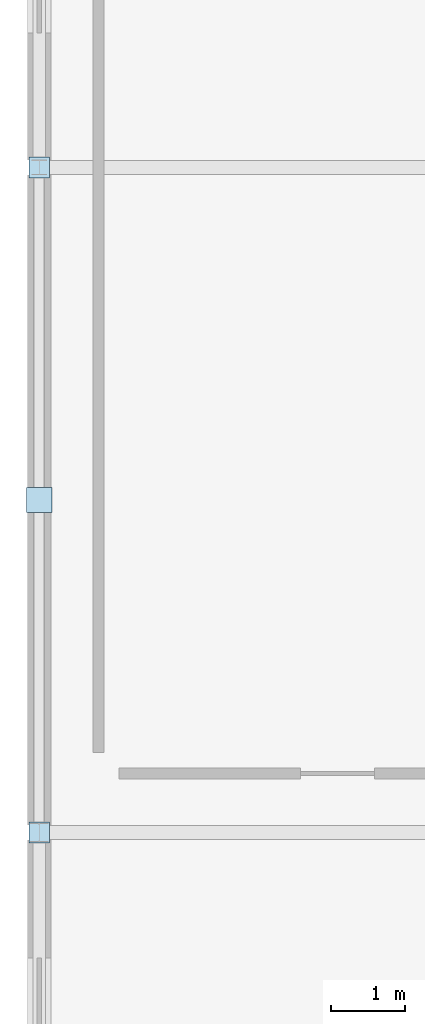
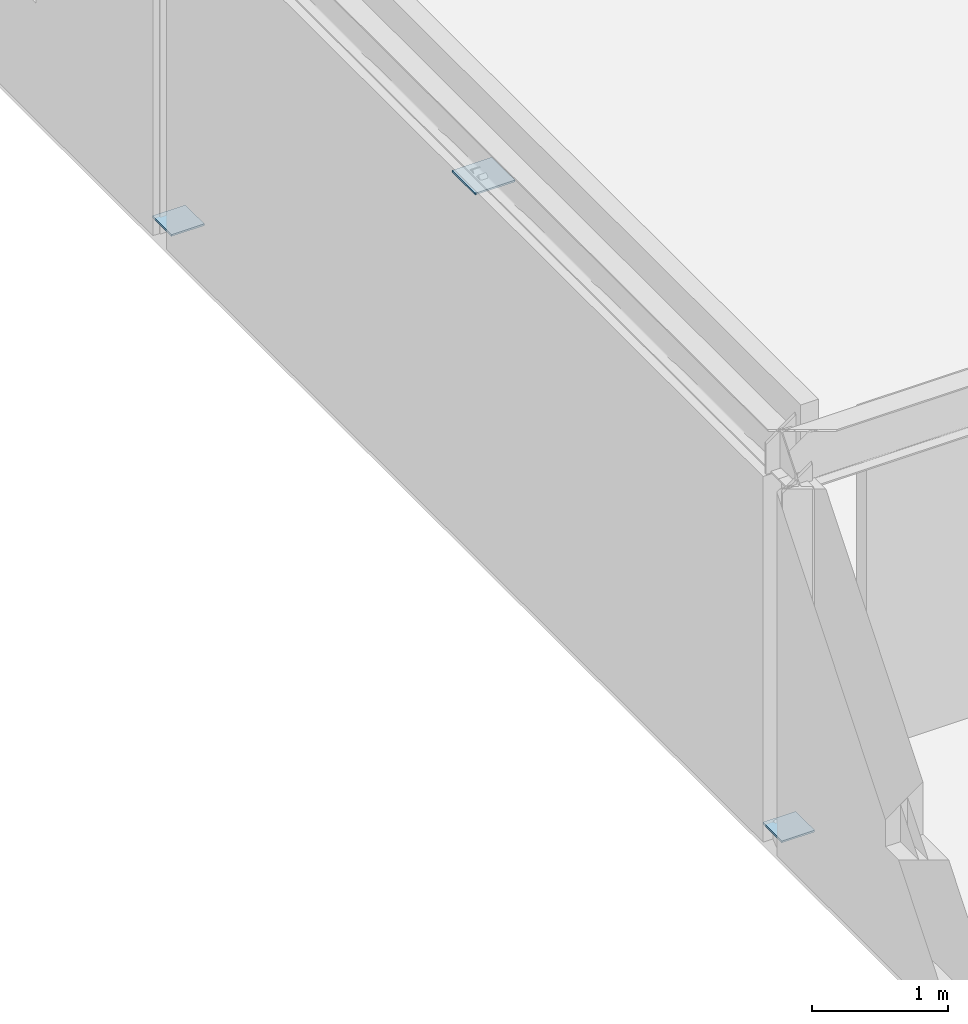
# One storey, part 73 of 98: 3 plates.
"""IFC4 building model written with IfcOpenShell, lengths in metres."""

from ifc_helpers import new_model, si_unit, derived_unit, direction, frame, origin, origin_2d_with_axis, place, context, subcontext, project, spatial, rectangle, extrude, material, layer, layer_set, type_object, element, save


model = new_model("IFC4")

# Units and contexts
model_context = context("Model", 3, precision=1e-05, world=origin(), true_north=direction((0.0, 1.0)))
body_context = subcontext(model_context, "Body", "Model", "MODEL_VIEW")
ifc_project = project(units=[si_unit("LENGTHUNIT", "METRE"), si_unit("AREAUNIT", "SQUARE_METRE"), si_unit("VOLUMEUNIT", "CUBIC_METRE"), si_unit("PLANEANGLEUNIT", "RADIAN"), si_unit("MASSUNIT", "GRAM", prefix="KILO"), derived_unit("THERMALTRANSMITTANCEUNIT", [(si_unit("POWERUNIT", "WATT"), 1), (si_unit("LENGTHUNIT", "METRE"), -2), (si_unit("THERMODYNAMICTEMPERATUREUNIT", "KELVIN"), -1)])], contexts=[model_context])

# Site, building, storey
site_placement = place(None, origin())
site = spatial("IfcSite", under=ifc_project, at=site_placement, CompositionType="ELEMENT")
building_placement = place(site_placement, origin())
building = spatial("IfcBuilding", under=site, at=building_placement, Name="Cinnabar Yard Market Hall", CompositionType="ELEMENT")
storey_placement = place(building_placement, frame((0.0, 0.0, 4.5)))
storey = spatial("IfcBuildingStorey", under=building, at=storey_placement, Name="L01", CompositionType="ELEMENT", Elevation=4.5)

# Plates
ifc_material = material(Name="Steel Grade 350 (350 MPa)", Category="steel")
ifc_layer_1 = layer(ifc_material, 0.01611328125)
ifc_layer_set_1 = layer_set([ifc_layer_1], Name="Steel Grade 350 (350 MPa)")
plate_type_1 = type_object("IfcPlateType", Name="PL-NP18E", PredefinedType="SHEET", material=ifc_layer_set_1)
plate_placement = place(storey_placement, frame((10.0, 70.5, 3.261962890625), z_axis=(0.0, 0.0, 1.0), x_axis=(1.0, 0.0, 0.0)))
element("IfcPlate", 1, at=plate_placement, inside=storey, type_object=plate_type_1, Name="Brace Apex Gusset CBF-V2-W1", PredefinedType="SHEET", context=body_context, shape_type="SweptSolid", body=[
    extrude(rectangle(XDim=0.340087890625, YDim=0.340087890625, at=origin_2d_with_axis()), origin(), (0.0, 0.0, 1.0), 0.01611328125),
])
ifc_layer_2 = layer(ifc_material, 0.01611328125)
ifc_layer_set_2 = layer_set([ifc_layer_2], Name="Steel Grade 350 (350 MPa)")
plate_type_2 = type_object("IfcPlateType", Name="PL-NP19E", PredefinedType="SHEET", material=ifc_layer_set_2)
for number, where, z_axis, x_axis, name in (
    (2, (10.0, 66.0, 0.1318359375), (0.0, 0.0, 1.0), (1.0, 0.0, 0.0), "Brace Base Gusset CBF-V2-W1 L"),
    (3, (10.0, 75.0, 0.1318359375), (0.0, 0.0, 1.0), (1.0, 0.0, 0.0), "Brace Base Gusset CBF-V2-W1 R"),
):
    element("IfcPlate", number, at=place(storey_placement, frame(where, z_axis=z_axis, x_axis=x_axis)), inside=storey, type_object=plate_type_2, Name=name, PredefinedType="SHEET", context=body_context, shape_type="SweptSolid", body=[
        extrude(rectangle(XDim=0.280029296875, YDim=0.280029296875, at=origin_2d_with_axis()), origin(), (0.0, 0.0, 1.0), 0.01611328125),
    ])

save(model, "model.ifc")
